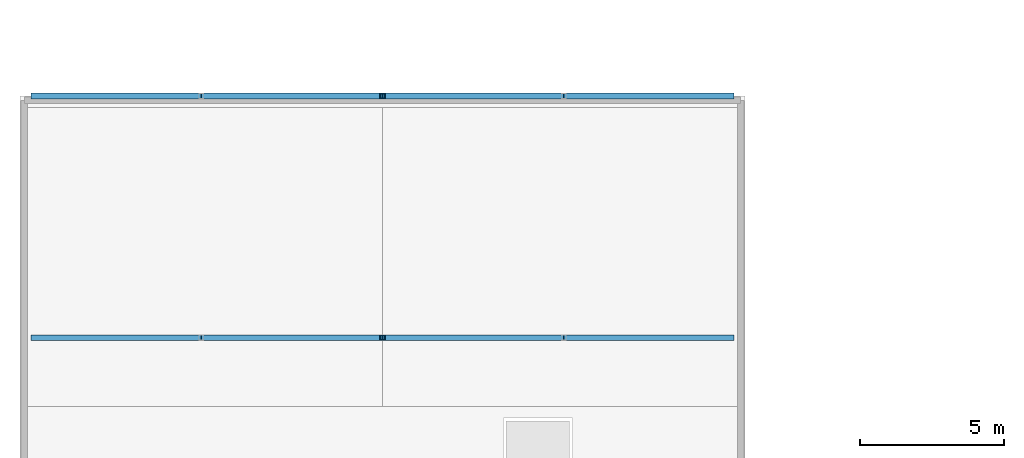
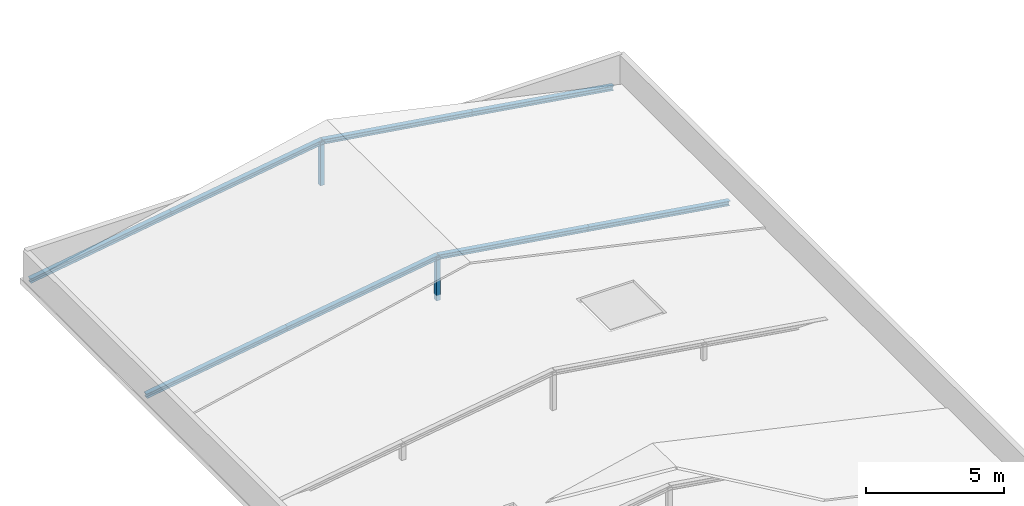
# One storey, part 5 of 21: 10 members.
"""IFC4 building model written with IfcOpenShell, lengths in metres."""

from ifc_helpers import new_model, si_unit, direction, frame, origin, origin_2d, place, context, subcontext, project, spatial, hollow_rectangle, i_section, extrude, material, material_profile, profile_set, type_object, element, save


model = new_model("IFC4")

# Units and contexts
model_context = context("Model", 3, precision=1e-05, world=origin(), true_north=direction((0.0, 1.0)))
body_context = subcontext(model_context, "Body", "Model", "MODEL_VIEW")
ifc_project = project(units=[si_unit("LENGTHUNIT", "METRE"), si_unit("AREAUNIT", "SQUARE_METRE"), si_unit("VOLUMEUNIT", "CUBIC_METRE"), si_unit("PLANEANGLEUNIT", "RADIAN"), si_unit("MASSUNIT", "GRAM", prefix="KILO")], contexts=[model_context])

# Site, building, storey
site_placement = place(None, origin())
site = spatial("IfcSite", under=ifc_project, at=site_placement, CompositionType="ELEMENT")
building_placement = place(site_placement, origin())
building = spatial("IfcBuilding", under=site, at=building_placement, Name="Xuanlan Plaza Opera House", CompositionType="ELEMENT")
storey_placement = place(building_placement, frame((0.0, 0.0, 44.699951171875)))
storey = spatial("IfcBuildingStorey", under=building, at=storey_placement, Name="L10", CompositionType="ELEMENT", Elevation=44.699951171875)

# Members
ifc_material = material(Name="Steel Q355B", Category="steel")
ifc_material_profile_1 = material_profile(ifc_material, hollow_rectangle(XDim=0.179931640625, YDim=0.179931640625, WallThickness=0.010009765625, at=origin_2d()), Name="SHS 180x180x10")
ifc_profile_set_1 = profile_set([ifc_material_profile_1], Name="Steel Q355B")
member_type_1 = type_object("IfcMemberType", Name="STR-MEM-ST-M2", PredefinedType="STRUT", material=ifc_profile_set_1)
for number, where, z_axis, x_axis, name in (
    (1, (54.60009765625, 67.199951171875, -0.25), (0.0, 0.0, 1.0), (1.0, 0.0, 0.0), "Fly Tower Crown Support Post 04-MID"),
    (2, (54.60009765625, 75.60009765625, -0.25), (0.0, 0.0, 1.0), (1.0, 0.0, 0.0), "Fly Tower Crown Support Post 05-MID"),
):
    element("IfcMember", number, at=place(storey_placement, frame(where, z_axis=z_axis, x_axis=x_axis)), inside=storey, type_object=member_type_1, Name=name, PredefinedType="STRUT", context=body_context, shape_type="SweptSolid", body=[
        extrude(hollow_rectangle(XDim=0.179931640625, YDim=0.179931640625, WallThickness=0.010009765625, at=origin_2d()), origin(), (0.0, 0.0, 1.0), 1.91015625),
    ])
ifc_material_profile_2 = material_profile(ifc_material, i_section(OverallWidth=0.199951171875, OverallDepth=0.199951171875, WebThickness=0.008056640625, FlangeThickness=0.011962890625, FilletRadius=0.012939453125, at=origin_2d()), Name="HW 200x200x8x12")
ifc_profile_set_2 = profile_set([ifc_material_profile_2], Name="Steel Q355B")
member_type_2 = type_object("IfcMemberType", Name="STR-MEM-TC-02", PredefinedType="CHORD", material=ifc_profile_set_2)
member_1_placement = place(storey_placement, frame((42.39990234375, 67.199951171875, -0.219970703125), z_axis=(0.988062453575, 0.0, 0.154053847191), x_axis=(0.0, 1.0, 0.0)))
element("IfcMember", 3, at=member_1_placement, inside=storey, type_object=member_type_2, Name="Fly Tower Crown Rafter 04-W1", PredefinedType="CHORD", context=body_context, shape_type="SweptSolid", body=[
    extrude(i_section(OverallWidth=0.199951171875, OverallDepth=0.199951171875, WebThickness=0.008056640625, FlangeThickness=0.011962890625, FilletRadius=0.012939453125, at=origin_2d()), origin(), (0.0, 0.0, 1.0), 5.971435546875),
])
member_2_placement = place(storey_placement, frame((48.300048828125, 67.199951171875, 0.699951171875), z_axis=(0.988583756616, 0.0, 0.150672347017), x_axis=(0.0, 1.0, 0.0)))
element("IfcMember", 4, at=member_2_placement, inside=storey, type_object=member_type_2, Name="Fly Tower Crown Rafter 04-W2", PredefinedType="CHORD", context=body_context, shape_type="SweptSolid", body=[
    extrude(i_section(OverallWidth=0.199951171875, OverallDepth=0.199951171875, WebThickness=0.008056640625, FlangeThickness=0.011962890625, FilletRadius=0.012939453125, at=origin_2d()), origin(), (0.0, 0.0, 1.0), 6.372802734375),
])
member_3_placement = place(storey_placement, frame((54.60009765625, 67.199951171875, 1.66015625), z_axis=(0.988582886852, 0.0, -0.150678053557), x_axis=(0.0, 1.0, 0.0)))
element("IfcMember", 5, at=member_3_placement, inside=storey, type_object=member_type_2, Name="Fly Tower Crown Rafter 04-E2", PredefinedType="CHORD", context=body_context, shape_type="SweptSolid", body=[
    extrude(i_section(OverallWidth=0.199951171875, OverallDepth=0.199951171875, WebThickness=0.008056640625, FlangeThickness=0.011962890625, FilletRadius=0.012939453125, at=origin_2d()), origin(), (0.0, 0.0, 1.0), 6.37255859375),
])
for number, where, z_axis, x_axis, name in (
    (6, (60.89990234375, 67.199951171875, 0.699951171875), (0.988062453575, 0.0, -0.154053847191), (0.0, 1.0, 0.0), "Fly Tower Crown Rafter 04-E1"),
    (7, (42.39990234375, 75.60009765625, -0.219970703125), (0.988062453575, 0.0, 0.154053847191), (0.0, 1.0, 0.0), "Fly Tower Crown Rafter 05-W1"),
):
    element("IfcMember", number, at=place(storey_placement, frame(where, z_axis=z_axis, x_axis=x_axis)), inside=storey, type_object=member_type_2, Name=name, PredefinedType="CHORD", context=body_context, shape_type="SweptSolid", body=[
        extrude(i_section(OverallWidth=0.199951171875, OverallDepth=0.199951171875, WebThickness=0.008056640625, FlangeThickness=0.011962890625, FilletRadius=0.012939453125, at=origin_2d()), origin(), (0.0, 0.0, 1.0), 5.971435546875),
    ])
member_4_placement = place(storey_placement, frame((48.300048828125, 75.60009765625, 0.699951171875), z_axis=(0.988583756616, 0.0, 0.150672347017), x_axis=(0.0, 1.0, 0.0)))
element("IfcMember", 8, at=member_4_placement, inside=storey, type_object=member_type_2, Name="Fly Tower Crown Rafter 05-W2", PredefinedType="CHORD", context=body_context, shape_type="SweptSolid", body=[
    extrude(i_section(OverallWidth=0.199951171875, OverallDepth=0.199951171875, WebThickness=0.008056640625, FlangeThickness=0.011962890625, FilletRadius=0.012939453125, at=origin_2d()), origin(), (0.0, 0.0, 1.0), 6.372802734375),
])
member_5_placement = place(storey_placement, frame((54.60009765625, 75.60009765625, 1.66015625), z_axis=(0.988582886852, 0.0, -0.150678053557), x_axis=(0.0, 1.0, 0.0)))
element("IfcMember", 9, at=member_5_placement, inside=storey, type_object=member_type_2, Name="Fly Tower Crown Rafter 05-E2", PredefinedType="CHORD", context=body_context, shape_type="SweptSolid", body=[
    extrude(i_section(OverallWidth=0.199951171875, OverallDepth=0.199951171875, WebThickness=0.008056640625, FlangeThickness=0.011962890625, FilletRadius=0.012939453125, at=origin_2d()), origin(), (0.0, 0.0, 1.0), 6.37255859375),
])
member_6_placement = place(storey_placement, frame((60.89990234375, 75.60009765625, 0.699951171875), z_axis=(0.988062453575, 0.0, -0.154053847191), x_axis=(0.0, 1.0, 0.0)))
element("IfcMember", 10, at=member_6_placement, inside=storey, type_object=member_type_2, Name="Fly Tower Crown Rafter 05-E1", PredefinedType="CHORD", context=body_context, shape_type="SweptSolid", body=[
    extrude(i_section(OverallWidth=0.199951171875, OverallDepth=0.199951171875, WebThickness=0.008056640625, FlangeThickness=0.011962890625, FilletRadius=0.012939453125, at=origin_2d()), origin(), (0.0, 0.0, 1.0), 5.971435546875),
])

save(model, "model.ifc")
